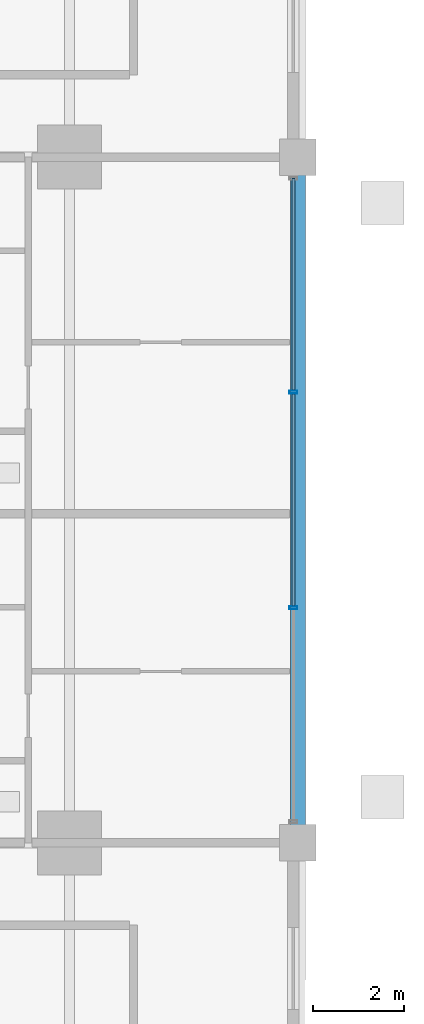
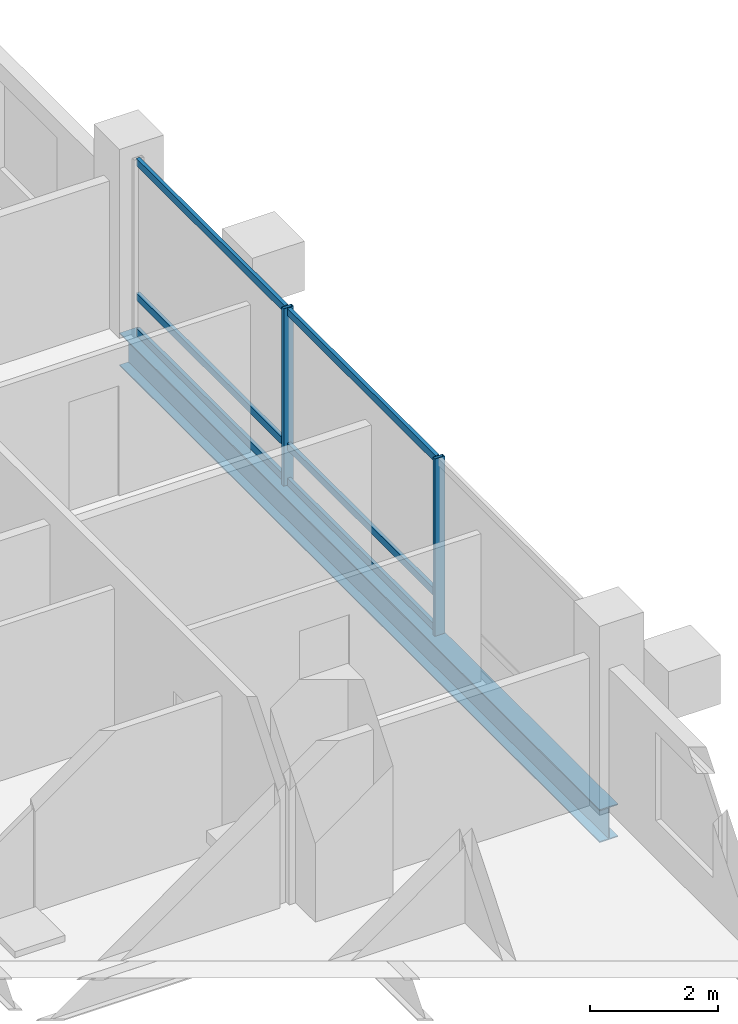
# One storey, part 10 of 24: 8 members, 1 beam, 1 element without a shape of its own.
"""IFC4 building model written with IfcOpenShell, lengths in metres."""

from ifc_helpers import new_model, si_unit, direction, frame, origin, origin_2d, place, context, subcontext, project, spatial, hollow_rectangle, i_section, extrude, material, layer, layer_set, material_profile, profile_set, type_object, element, aggregate, save


model = new_model("IFC4")

# Units and contexts
model_context = context("Model", 3, precision=1e-05, world=origin(), true_north=direction((0.0, 1.0)))
body_context = subcontext(model_context, "Body", "Model", "MODEL_VIEW")
ifc_project = project(units=[si_unit("LENGTHUNIT", "METRE"), si_unit("AREAUNIT", "SQUARE_METRE"), si_unit("VOLUMEUNIT", "CUBIC_METRE"), si_unit("PLANEANGLEUNIT", "RADIAN"), si_unit("MASSUNIT", "GRAM", prefix="KILO")], contexts=[model_context])

# Site, building, storey
site_placement = place(None, origin())
site = spatial("IfcSite", under=ifc_project, at=site_placement, CompositionType="ELEMENT")
building_placement = place(site_placement, origin())
building = spatial("IfcBuilding", under=site, at=building_placement, Name="Barlavira Tower and Art Museum", CompositionType="ELEMENT")
storey_placement = place(building_placement, frame((0.0, 0.0, 32.39990234375)))
storey = spatial("IfcBuildingStorey", under=building, at=storey_placement, Name="L06", CompositionType="ELEMENT", Elevation=32.39990234375)

# Curtain wall, members
ifc_material_1 = material(Name="Low-iron coastal laminated glass", Category="glass")
ifc_layer = layer(ifc_material_1, 0.179931640625, Name="Low-iron coastal laminated glass")
ifc_layer_set = layer_set([ifc_layer], Name="Low-iron coastal laminated glass")
curtain_wall_type = type_object("IfcCurtainWallType", Name="Pale-Metal Unitised Curtain Wall Zone 1", PredefinedType="NOTDEFINED", material=ifc_layer_set)
curtain_wall_placement = place(storey_placement, origin())
curtain_wall = element("IfcCurtainWall", 1, at=curtain_wall_placement, inside=storey, type_object=curtain_wall_type, Name="L06 Curtain Wall CW1-L06-E-B3", PredefinedType="NOTDEFINED")
ifc_material_2 = material(Name="Pale anodised aluminium", Category="aluminium")
ifc_material_profile_1 = material_profile(ifc_material_2, hollow_rectangle(XDim=0.06494140625, YDim=0.179931640625, WallThickness=0.00390625, at=origin_2d()), Name="ALU-MULL 65x180x4")
ifc_profile_set_1 = profile_set([ifc_material_profile_1], Name="Pale anodised aluminium")
member_type_1 = type_object("IfcMemberType", Name="Curtain Wall Pale-Metal Mullion 65x180", PredefinedType="MULLION", material=ifc_profile_set_1)
member_1_placement = place(storey_placement, frame((21.89990234375, -2.360107421875, 0.0), z_axis=(0.0, 0.0, 1.0), x_axis=(0.0, 1.0, 0.0)))
member_1 = element("IfcMember", 2, at=member_1_placement, type_object=member_type_1, Name="CW1-L06-E-B3 Mullion 1", PredefinedType="MULLION", context=body_context, shape_type="SweptSolid", body=[
    extrude(hollow_rectangle(XDim=0.06494140625, YDim=0.179931640625, WallThickness=0.00390625, at=origin_2d()), origin(), (0.0, 0.0, 1.0), 3.380126953125),
])
member_2_placement = place(storey_placement, frame((21.89990234375, 2.360107421875, 0.0), z_axis=(0.0, 0.0, 1.0), x_axis=(0.0, 1.0, 0.0)))
member_2 = element("IfcMember", 3, at=member_2_placement, type_object=member_type_1, Name="CW1-L06-E-B3 Mullion 2", PredefinedType="MULLION", context=body_context, shape_type="SweptSolid", body=[
    extrude(hollow_rectangle(XDim=0.06494140625, YDim=0.179931640625, WallThickness=0.00390625, at=origin_2d()), origin(), (0.0, 0.0, 1.0), 3.380126953125),
])
ifc_material_profile_2 = material_profile(ifc_material_2, hollow_rectangle(XDim=0.06494140625, YDim=0.139892578125, WallThickness=0.00390625, at=origin_2d()), Name="ALU-TRAN 65x140x4")
ifc_profile_set_2 = profile_set([ifc_material_profile_2], Name="Pale anodised aluminium")
member_type_2 = type_object("IfcMemberType", Name="Curtain Wall Pale-Metal Transom 65x140", PredefinedType="USERDEFINED", material=ifc_profile_set_2)
member_3_placement = place(storey_placement, frame((21.89990234375, -2.31494140625, 0.070068359375), z_axis=(0.0, 1.0, 0.0), x_axis=(-1.0, 0.0, 0.0)))
member_3 = element("IfcMember", 4, at=member_3_placement, type_object=member_type_2, Name="CW1-L06-E-B3 Transom 1.1", ObjectType="TRANSOM", PredefinedType="USERDEFINED", context=body_context, shape_type="SweptSolid", body=[
    extrude(hollow_rectangle(XDim=0.06494140625, YDim=0.139892578125, WallThickness=0.00390625, at=origin_2d()), origin(), (0.0, 0.0, 1.0), 4.6298828125),
])
member_4_placement = place(storey_placement, frame((21.89990234375, -2.31494140625, 0.744140625), z_axis=(0.0, 1.0, 0.0), x_axis=(-1.0, 0.0, 0.0)))
member_4 = element("IfcMember", 5, at=member_4_placement, type_object=member_type_2, Name="CW1-L06-E-B3 Transom 1.2", ObjectType="TRANSOM", PredefinedType="USERDEFINED", context=body_context, shape_type="SweptSolid", body=[
    extrude(hollow_rectangle(XDim=0.06494140625, YDim=0.139892578125, WallThickness=0.00390625, at=origin_2d()), origin(), (0.0, 0.0, 1.0), 4.6298828125),
])
member_5_placement = place(storey_placement, frame((21.89990234375, -2.31494140625, 3.31005859375), z_axis=(0.0, 1.0, 0.0), x_axis=(-1.0, 0.0, 0.0)))
member_5 = element("IfcMember", 6, at=member_5_placement, type_object=member_type_2, Name="CW1-L06-E-B3 Transom 1.3", ObjectType="TRANSOM", PredefinedType="USERDEFINED", context=body_context, shape_type="SweptSolid", body=[
    extrude(hollow_rectangle(XDim=0.06494140625, YDim=0.139892578125, WallThickness=0.00390625, at=origin_2d()), origin(), (0.0, 0.0, 1.0), 4.6298828125),
])
member_6_placement = place(storey_placement, frame((21.89990234375, 2.405029296875, 0.070068359375), z_axis=(0.0, 1.0, 0.0), x_axis=(-1.0, 0.0, 0.0)))
member_6 = element("IfcMember", 7, at=member_6_placement, type_object=member_type_2, Name="CW1-L06-E-B3 Transom 2.1", ObjectType="TRANSOM", PredefinedType="USERDEFINED", context=body_context, shape_type="SweptSolid", body=[
    extrude(hollow_rectangle(XDim=0.06494140625, YDim=0.139892578125, WallThickness=0.00390625, at=origin_2d()), origin(), (0.0, 0.0, 1.0), 4.6298828125),
])
member_7_placement = place(storey_placement, frame((21.89990234375, 2.405029296875, 0.744140625), z_axis=(0.0, 1.0, 0.0), x_axis=(-1.0, 0.0, 0.0)))
member_7 = element("IfcMember", 8, at=member_7_placement, type_object=member_type_2, Name="CW1-L06-E-B3 Transom 2.2", ObjectType="TRANSOM", PredefinedType="USERDEFINED", context=body_context, shape_type="SweptSolid", body=[
    extrude(hollow_rectangle(XDim=0.06494140625, YDim=0.139892578125, WallThickness=0.00390625, at=origin_2d()), origin(), (0.0, 0.0, 1.0), 4.6298828125),
])
member_8_placement = place(storey_placement, frame((21.89990234375, 2.405029296875, 3.31005859375), z_axis=(0.0, 1.0, 0.0), x_axis=(-1.0, 0.0, 0.0)))
member_8 = element("IfcMember", 9, at=member_8_placement, type_object=member_type_2, Name="CW1-L06-E-B3 Transom 2.3", ObjectType="TRANSOM", PredefinedType="USERDEFINED", context=body_context, shape_type="SweptSolid", body=[
    extrude(hollow_rectangle(XDim=0.06494140625, YDim=0.139892578125, WallThickness=0.00390625, at=origin_2d()), origin(), (0.0, 0.0, 1.0), 4.6298828125),
])
aggregate(curtain_wall, [member_1, member_2, member_3, member_4, member_5, member_6, member_7, member_8])

# Beam
ifc_material_3 = material(Name="Steel S355", Category="steel")
ifc_material_profile_3 = material_profile(ifc_material_3, i_section(OverallWidth=0.327880859375, OverallDepth=0.62890625, WebThickness=0.013916015625, FlangeThickness=0.021484375, at=origin_2d()), Name="W610x174.0")
ifc_profile_set_3 = profile_set([ifc_material_profile_3], Name="Steel S355")
beam_type = type_object("IfcBeamType", Name="Perimeter Spandrel Edge Beam W610x174 Steel S355", PredefinedType="SPANDREL", material=ifc_profile_set_3)
beam_placement = place(storey_placement, frame((22.0, -7.5, -0.534423828125), z_axis=(0.0, 1.0, 0.0), x_axis=(-1.0, 0.0, 0.0)))
element("IfcBeam", 10, at=beam_placement, inside=storey, type_object=beam_type, Name="L06 Spandrel 6", PredefinedType="SPANDREL", context=body_context, shape_type="SweptSolid", body=[
    extrude(i_section(OverallWidth=0.327880859375, OverallDepth=0.62890625, WebThickness=0.013916015625, FlangeThickness=0.021484375, at=origin_2d()), origin(), (0.0, 0.0, 1.0), 15.0),
])

save(model, "model.ifc")
